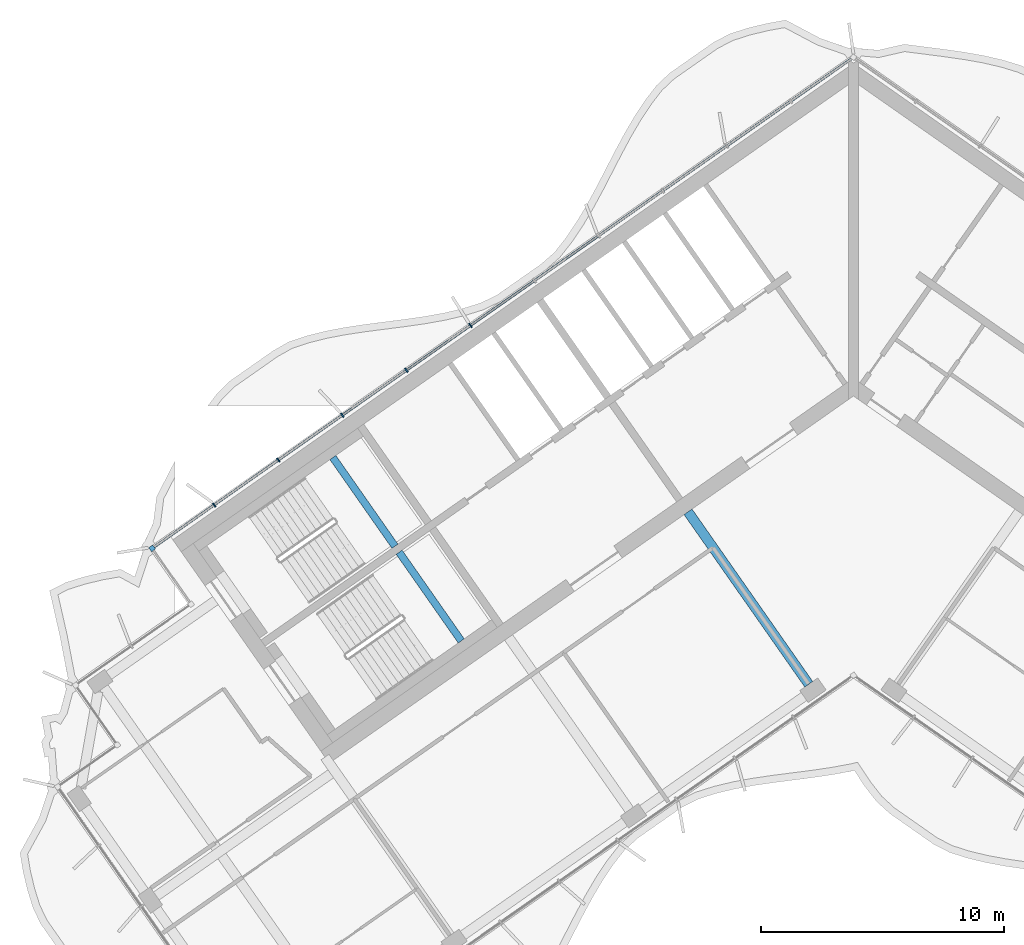
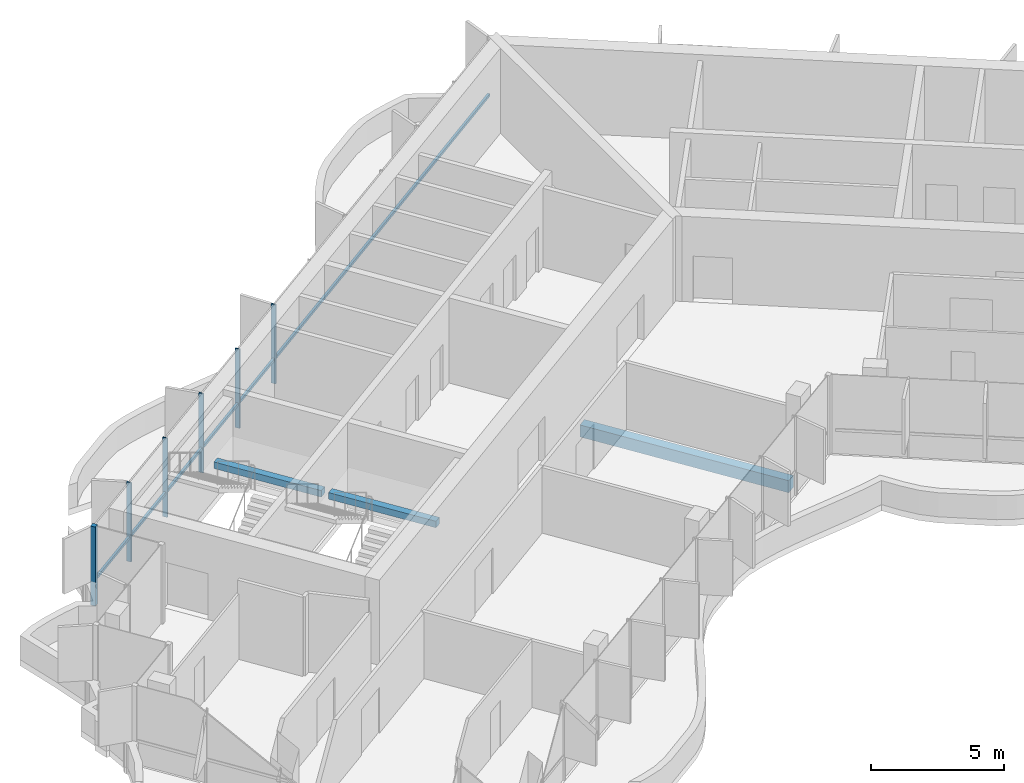
# One storey, part 3 of 18: 7 members, 3 beams, 1 element without a shape of its own.
"""IFC4 building model written with IfcOpenShell, lengths in metres."""

import ifcopenshell
import ifcopenshell.guid

model = None  # the IFC model being written
_history = None  # IfcOwnerHistory: only IFC2X3 demands one
_inside = {}  # id of a spatial element -> (the spatial element, [elements in it])
_under = {}  # id of a project, library or spatial element -> (it, [spatial elements below it])
_declared = {}  # id of a project -> (the project, [libraries it declares])
_typed = {}  # id of a type object -> (the type object, [elements of that type])
_made_of = {}  # id of a material, layer set ... -> (it, [elements and type objects made of it])


def new_model(schema):
    """Start an empty IFC model of exactly this schema.

    Asked for "IFC4X3", IfcOpenShell would pick the latest addendum, in which some entities
    have other attributes; the version numbers below select the first issue.
    IFC2X3 requires an IfcOwnerHistory on every rooted entity: one is made here for all.
    """
    global model, _history
    if schema == "IFC4X3":
        model = ifcopenshell.file(schema_version=(4, 3, 0, 0))
    else:
        model = ifcopenshell.file(schema=schema)
    _inside.clear()
    _under.clear()
    _declared.clear()
    _typed.clear()
    _made_of.clear()
    _history = None
    if model.schema == "IFC2X3":
        org = make("IfcOrganization", Name="unknown")
        user = make(
            "IfcPersonAndOrganization",
            ThePerson=make("IfcPerson", FamilyName="unknown"),
            TheOrganization=org,
        )
        app = make(
            "IfcApplication",
            ApplicationDeveloper=org,
            Version="unknown",
            ApplicationFullName="unknown",
            ApplicationIdentifier="unknown",
        )
        _history = make(
            "IfcOwnerHistory",
            OwningUser=user,
            OwningApplication=app,
            ChangeAction="ADDED",
            CreationDate=0,
        )
    return model


def make(cls, **values):
    """One entity of the class cls with the attributes given. An attribute that is None is left unset."""
    return model.create_entity(
        cls, **{name: value for name, value in values.items() if value is not None}
    )


def rooted(cls, **values):
    """An entity with a GlobalId (a new one), such as an element, a storey or a relation."""
    return make(cls, GlobalId=ifcopenshell.guid.new(), OwnerHistory=_history, **values)


def si_unit(unit_type, name, prefix=None):
    """IfcSIUnit, for example si_unit("LENGTHUNIT", "METRE", prefix="MILLI")."""
    return make("IfcSIUnit", UnitType=unit_type, Prefix=prefix, Name=name)


def assignment(units):
    """IfcUnitAssignment: the units of a project."""
    return None if units is None else make("IfcUnitAssignment", Units=units)


def point(xyz):
    """IfcCartesianPoint."""
    return None if xyz is None else make("IfcCartesianPoint", Coordinates=xyz)


def direction(xyz):
    """IfcDirection."""
    return None if xyz is None else make("IfcDirection", DirectionRatios=xyz)


def frame(location, z_axis=None, x_axis=None):
    """IfcAxis2Placement3D, a coordinate frame: its origin and axes. An axis left out is left unset."""
    return make(
        "IfcAxis2Placement3D",
        Location=point(location),
        Axis=direction(z_axis),
        RefDirection=direction(x_axis),
    )


def frame_2d(location, x_axis=None):
    """IfcAxis2Placement2D, a coordinate frame in the plane: its origin and x axis."""
    return make(
        "IfcAxis2Placement2D", Location=point(location), RefDirection=direction(x_axis)
    )


def origin():
    """The frame at (0, 0, 0) with its axes left unset."""
    return frame((0.0, 0.0, 0.0))


def origin_2d():
    """The frame at (0, 0) in the plane with its x axis left unset."""
    return frame_2d((0.0, 0.0))


def place(relative_to, where):
    """IfcLocalPlacement: puts the frame where relative to a parent placement (None: the world)."""
    return make(
        "IfcLocalPlacement", PlacementRelTo=relative_to, RelativePlacement=where
    )


def context(
    kind, dimensions, precision=None, world=None, true_north=None, identifier=None
):
    """IfcGeometricRepresentationContext, for example the 3D "Model" context."""
    return make(
        "IfcGeometricRepresentationContext",
        ContextIdentifier=identifier,
        ContextType=kind,
        CoordinateSpaceDimension=dimensions,
        Precision=precision,
        WorldCoordinateSystem=world,
        TrueNorth=true_north,
    )


def subcontext(parent, identifier, kind, view, scale=None):
    """IfcGeometricRepresentationSubContext, for example "Body" below "Model"."""
    return make(
        "IfcGeometricRepresentationSubContext",
        ContextIdentifier=identifier,
        ContextType=kind,
        ParentContext=parent,
        TargetScale=scale,
        TargetView=view,
    )


def project(units=None, contexts=None):
    """IfcProject with its units and contexts."""
    return rooted(
        "IfcProject",
        Name="project",
        RepresentationContexts=contexts,
        UnitsInContext=assignment(units),
    )


def spatial(cls, under=None, at=None, **own):
    """A site, building, storey or space (cls), placed at a placement, below another one or the project."""
    s = rooted(cls, ObjectPlacement=at, **own)
    if under is not None:
        _under.setdefault(under.id(), (under, []))[1].append(s)
    return s


def profile(cls, at=None, kind="AREA", **sizes):
    """A parametric profile (cls). Its sizes go by their IFC names, for example OverallWidth=200.0."""
    return make(cls, ProfileType=kind, Position=at, **sizes)


def rectangle(**sizes):
    """IfcRectangleProfileDef."""
    return profile("IfcRectangleProfileDef", **sizes)


def extrude(swept, where, along, depth):
    """IfcExtrudedAreaSolid: the profile swept, set in the frame where, extruded along a direction by depth."""
    return make(
        "IfcExtrudedAreaSolid",
        SweptArea=swept,
        Position=where,
        ExtrudedDirection=direction(along),
        Depth=depth,
    )


def shape(context_of_items, identifier, shape_type, items):
    """IfcShapeRepresentation: the items that make up one representation, for example the "Body"."""
    return make(
        "IfcShapeRepresentation",
        ContextOfItems=context_of_items,
        RepresentationIdentifier=identifier,
        RepresentationType=shape_type,
        Items=items,
    )


def material(Name=None, Category=None):
    """IfcMaterial."""
    return make("IfcMaterial", Name=Name, Category=Category)


def material_profile(
    of_material, cross_section, Name=None, Category=None, Priority=None
):
    """IfcMaterialProfile: a cross section and its material."""
    return make(
        "IfcMaterialProfile",
        Name=Name,
        Material=of_material,
        Profile=cross_section,
        Priority=Priority,
        Category=Category,
    )


def profile_set(profiles, Name=None, composite=None):
    """IfcMaterialProfileSet."""
    return make(
        "IfcMaterialProfileSet",
        Name=Name,
        MaterialProfiles=profiles,
        CompositeProfile=composite,
    )


def made_of(thing, what):
    """Note that an element or type object is made of a material, layer set ...; save() writes the relation."""
    if what is not None:
        _made_of.setdefault(what.id(), (what, []))[1].append(thing)
    return thing


def type_object(cls, material=None, **own):
    """A type object (cls), such as IfcWallType, which elements share."""
    return made_of(rooted(cls, **own), material)


def element(
    cls,
    number,
    at=None,
    inside=None,
    cuts=None,
    type_object=None,
    material=None,
    context=None,
    identifier="Body",
    shape_type=None,
    held_by="IfcProductDefinitionShape",
    body=None,
    shapes=None,
    **own,
):
    """One element of the class cls, such as IfcWall. Its Tag is "e" and its number.

    at: its placement. inside: the storey or other place that contains it. cuts: it is an
    opening in that element (IfcRelVoidsElement). A single representation is given by context,
    identifier, shape_type and body (its items); several are given by shapes. held_by: the class
    of the entity that holds the representations. save() writes the other relations.
    """
    e = rooted(cls, Tag="e%d" % number, ObjectPlacement=at, **own)
    if body is not None:
        shapes = [shape(context, identifier, shape_type, body)]
    if shapes is not None:
        e.Representation = make(held_by, Representations=shapes)
    if inside is not None:
        _inside.setdefault(inside.id(), (inside, []))[1].append(e)
    if cuts is not None:
        rooted(
            "IfcRelVoidsElement", RelatingBuildingElement=cuts, RelatedOpeningElement=e
        )
    if type_object is not None:
        _typed.setdefault(type_object.id(), (type_object, []))[1].append(e)
    return made_of(e, material)


def aggregate(whole, parts):
    """IfcRelAggregates: a whole, such as a stair, and the parts it consists of."""
    return rooted("IfcRelAggregates", RelatingObject=whole, RelatedObjects=parts)


def save(model, path):
    """Write the relations noted so far, then the file.

    IfcRelAggregates (storeys below a building ...), IfcRelContainedInSpatialStructure (elements
    in a storey), IfcRelDefinesByType, IfcRelAssociatesMaterial and IfcRelDeclares: one each for
    every whole, place, type object, material and project.
    """
    for whole, parts in _under.values():
        aggregate(whole, parts)
    for where, things in _inside.values():
        rooted(
            "IfcRelContainedInSpatialStructure",
            RelatedElements=things,
            RelatingStructure=where,
        )
    for kind, things in _typed.values():
        rooted("IfcRelDefinesByType", RelatedObjects=things, RelatingType=kind)
    for what, things in _made_of.values():
        rooted("IfcRelAssociatesMaterial", RelatedObjects=things, RelatingMaterial=what)
    for by, libraries in _declared.values():
        rooted("IfcRelDeclares", RelatingContext=by, RelatedDefinitions=libraries)
    model.write(path)


model = new_model("IFC4")

# Units and contexts
model_context = context("Model", 3, precision=1e-05, world=origin(), true_north=direction((0.0, 1.0)))
body_context = subcontext(model_context, "Body", "Model", "MODEL_VIEW")
ifc_project = project(units=[si_unit("LENGTHUNIT", "METRE"), si_unit("AREAUNIT", "SQUARE_METRE"), si_unit("VOLUMEUNIT", "CUBIC_METRE"), si_unit("PLANEANGLEUNIT", "RADIAN"), si_unit("MASSUNIT", "GRAM", prefix="KILO")], contexts=[model_context])

# Site, building, storey
site_placement = place(None, origin())
site = spatial("IfcSite", under=ifc_project, at=site_placement, CompositionType="ELEMENT")
building_placement = place(site_placement, origin())
building = spatial("IfcBuilding", under=site, at=building_placement, Name="Tel Ilan Convention Tower", CompositionType="ELEMENT")
storey_placement = place(building_placement, frame((0.0, 0.0, 260.5)))
storey = spatial("IfcBuildingStorey", under=building, at=storey_placement, Name="L61", CompositionType="ELEMENT", Elevation=260.5)

# Beam
ifc_material_1 = material(Name="Concrete C40/50", Category="concrete")
ifc_material_profile_1 = material_profile(ifc_material_1, rectangle(XDim=0.39990234375, YDim=0.550048828125, at=origin_2d()), Name="RC 400x550")
ifc_profile_set_1 = profile_set([ifc_material_profile_1], Name="Concrete C40/50")
beam_type_1 = type_object("IfcBeamType", Name="Beam RC 400x550 Concrete C40/50", PredefinedType="BEAM", material=ifc_profile_set_1)
beam_1_placement = place(storey_placement, frame((-1.83740234375, -13.06689453125, -0.554931640625), z_axis=(-0.573574099654, 0.819153680457, 0.0), x_axis=(-0.819153680457, -0.573574099654, 0.0)))
element("IfcBeam", 1, at=beam_1_placement, inside=storey, type_object=beam_type_1, Name="L61 beam W-W-F1-core", PredefinedType="BEAM", context=body_context, shape_type="SweptSolid", body=[
    extrude(rectangle(XDim=0.39990234375, YDim=0.550048828125, at=origin_2d()), origin(), (0.0, 0.0, 1.0), 8.64990234375),
])

# Curtain wall, members
ifc_material_2 = material(Name="Aluminium, bronze anodised", Category="aluminium")
curtain_wall_type = type_object("IfcCurtainWallType", Name="CW2 STICK CURTAIN WALL, SPANDREL PANELS", PredefinedType="NOTDEFINED", material=ifc_material_2)
curtain_wall_placement = place(storey_placement, origin())
curtain_wall = element("IfcCurtainWall", 2, at=curtain_wall_placement, inside=storey, type_object=curtain_wall_type, Name="Curtain wall CW2-46.01", PredefinedType="NOTDEFINED")
ifc_material_3 = material(Name="Aluminium, bronze anodised", Category="aluminium")
ifc_material_profile_2 = material_profile(ifc_material_3, rectangle(XDim=0.199951171875, YDim=0.199951171875, at=origin_2d()), Name="CW CORNER MULLION 200x200")
ifc_profile_set_2 = profile_set([ifc_material_profile_2], Name="Aluminium, bronze anodised")
member_type_1 = type_object("IfcMemberType", Name="CW CORNER MULLION 200x200", PredefinedType="MULLION", material=ifc_profile_set_2)
member_1_placement = place(storey_placement, frame((-28.819580078125, -7.483642578125, 0.0), z_axis=(0.0, 0.0, 1.0), x_axis=(-0.819152044289, -0.573576436351, 0.0)))
member_1 = element("IfcMember", 3, at=member_1_placement, type_object=member_type_1, Name="Corner mullion", PredefinedType="MULLION", context=body_context, shape_type="SweptSolid", body=[
    extrude(rectangle(XDim=0.199951171875, YDim=0.199951171875, at=origin_2d()), origin(), (0.0, 0.0, 1.0), 3.6201171875),
])
ifc_material_4 = material(Name="Aluminium, bronze anodised", Category="aluminium")
ifc_material_profile_3 = material_profile(ifc_material_4, rectangle(XDim=0.06005859375, YDim=0.199951171875, at=origin_2d()), Name="CW MULLION 60x200")
ifc_profile_set_3 = profile_set([ifc_material_profile_3], Name="Aluminium, bronze anodised")
member_type_2 = type_object("IfcMemberType", Name="CW MULLION 60x200", PredefinedType="MULLION", material=ifc_profile_set_3)
member_2_placement = place(storey_placement, frame((-15.73828125, 1.676025390625, 0.0), z_axis=(0.0, 0.0, 1.0), x_axis=(-0.819152044289, -0.573576436351, 0.0)))
member_2 = element("IfcMember", 4, at=member_2_placement, type_object=member_type_2, Name="Mullion", PredefinedType="MULLION", context=body_context, shape_type="SweptSolid", body=[
    extrude(rectangle(XDim=0.06005859375, YDim=0.199951171875, at=origin_2d()), origin(), (0.0, 0.0, 1.0), 3.6201171875),
])
member_3_placement = place(storey_placement, frame((-18.37109375, -0.16748046875, 0.0), z_axis=(0.0, 0.0, 1.0), x_axis=(-0.819152044289, -0.573576436351, 0.0)))
member_3 = element("IfcMember", 5, at=member_3_placement, type_object=member_type_2, Name="Mullion", PredefinedType="MULLION", context=body_context, shape_type="SweptSolid", body=[
    extrude(rectangle(XDim=0.06005859375, YDim=0.199951171875, at=origin_2d()), origin(), (0.0, 0.0, 1.0), 3.6201171875),
])
member_4_placement = place(storey_placement, frame((-21.003662109375, -2.0107421875, 0.0), z_axis=(0.0, 0.0, 1.0), x_axis=(-0.819152044289, -0.573576436351, 0.0)))
member_4 = element("IfcMember", 6, at=member_4_placement, type_object=member_type_2, Name="Mullion", PredefinedType="MULLION", context=body_context, shape_type="SweptSolid", body=[
    extrude(rectangle(XDim=0.06005859375, YDim=0.199951171875, at=origin_2d()), origin(), (0.0, 0.0, 1.0), 3.6201171875),
])
member_5_placement = place(storey_placement, frame((-23.63623046875, -3.854248046875, 0.0), z_axis=(0.0, 0.0, 1.0), x_axis=(-0.819152044289, -0.573576436351, 0.0)))
member_5 = element("IfcMember", 7, at=member_5_placement, type_object=member_type_2, Name="Mullion", PredefinedType="MULLION", context=body_context, shape_type="SweptSolid", body=[
    extrude(rectangle(XDim=0.06005859375, YDim=0.199951171875, at=origin_2d()), origin(), (0.0, 0.0, 1.0), 3.6201171875),
])
member_6_placement = place(storey_placement, frame((-26.268798828125, -5.697509765625, 0.0), z_axis=(0.0, 0.0, 1.0), x_axis=(-0.819152044289, -0.573576436351, 0.0)))
member_6 = element("IfcMember", 8, at=member_6_placement, type_object=member_type_2, Name="Mullion", PredefinedType="MULLION", context=body_context, shape_type="SweptSolid", body=[
    extrude(rectangle(XDim=0.06005859375, YDim=0.199951171875, at=origin_2d()), origin(), (0.0, 0.0, 1.0), 3.6201171875),
])
ifc_material_5 = material(Name="Aluminium, bronze anodised", Category="aluminium")
ifc_material_profile_4 = material_profile(ifc_material_5, rectangle(XDim=0.10009765625, YDim=0.1201171875, at=origin_2d()), Name="CW TRANSOM 100x120")
ifc_profile_set_4 = profile_set([ifc_material_profile_4], Name="Aluminium, bronze anodised")
member_type_3 = type_object("IfcMemberType", Name="CW TRANSOM 100x120", PredefinedType="USERDEFINED", material=ifc_profile_set_4)
member_7_placement = place(storey_placement, frame((-0.1064453125, 12.62158203125, 1.10009765625), z_axis=(-0.819150201937, -0.573579067494, 0.0), x_axis=(0.573579067494, -0.819150201937, 0.0)))
member_7 = element("IfcMember", 9, at=member_7_placement, type_object=member_type_3, Name="Transom", ObjectType="TRANSOM", PredefinedType="USERDEFINED", context=body_context, shape_type="SweptSolid", body=[
    extrude(rectangle(XDim=0.10009765625, YDim=0.1201171875, at=origin_2d()), origin(), (0.0, 0.0, 1.0), 34.9521484375),
])
aggregate(curtain_wall, [member_2, member_3, member_4, member_5, member_6, member_1, member_7])

# Beams
ifc_material_6 = material(Name="Concrete C40/50", Category="concrete")
ifc_material_profile_5 = material_profile(ifc_material_6, rectangle(XDim=0.300048828125, YDim=0.300048828125, at=origin_2d()), Name="RC 300x300")
ifc_profile_set_5 = profile_set([ifc_material_profile_5], Name="Concrete C40/50")
beam_type_2 = type_object("IfcBeamType", Name="Landing Beam RC 300x300 Concrete C40/50", PredefinedType="BEAM", material=ifc_profile_set_5)
beam_2_placement = place(storey_placement, frame((-18.841796875, -7.394287109375, 1.60009765625), z_axis=(-0.573547030514, 0.819172633691, 0.0), x_axis=(-0.819172633691, -0.573547030514, 0.0)))
element("IfcBeam", 10, at=beam_2_placement, inside=storey, type_object=beam_type_2, Name="S1 landing beam L61.1", PredefinedType="BEAM", context=body_context, shape_type="SweptSolid", body=[
    extrude(rectangle(XDim=0.300048828125, YDim=0.300048828125, at=origin_2d()), origin(), (0.0, 0.0, 1.0), 4.449951171875),
])
beam_3_placement = place(storey_placement, frame((-16.1171875, -11.285400390625, 1.60009765625), z_axis=(-0.573583844845, 0.819146856756, 0.0), x_axis=(-0.819146856756, -0.573583844845, 0.0)))
element("IfcBeam", 11, at=beam_3_placement, inside=storey, type_object=beam_type_2, Name="S2 landing beam L61.1", PredefinedType="BEAM", context=body_context, shape_type="SweptSolid", body=[
    extrude(rectangle(XDim=0.300048828125, YDim=0.300048828125, at=origin_2d()), origin(), (0.0, 0.0, 1.0), 4.4501953125),
])

save(model, "model.ifc")
